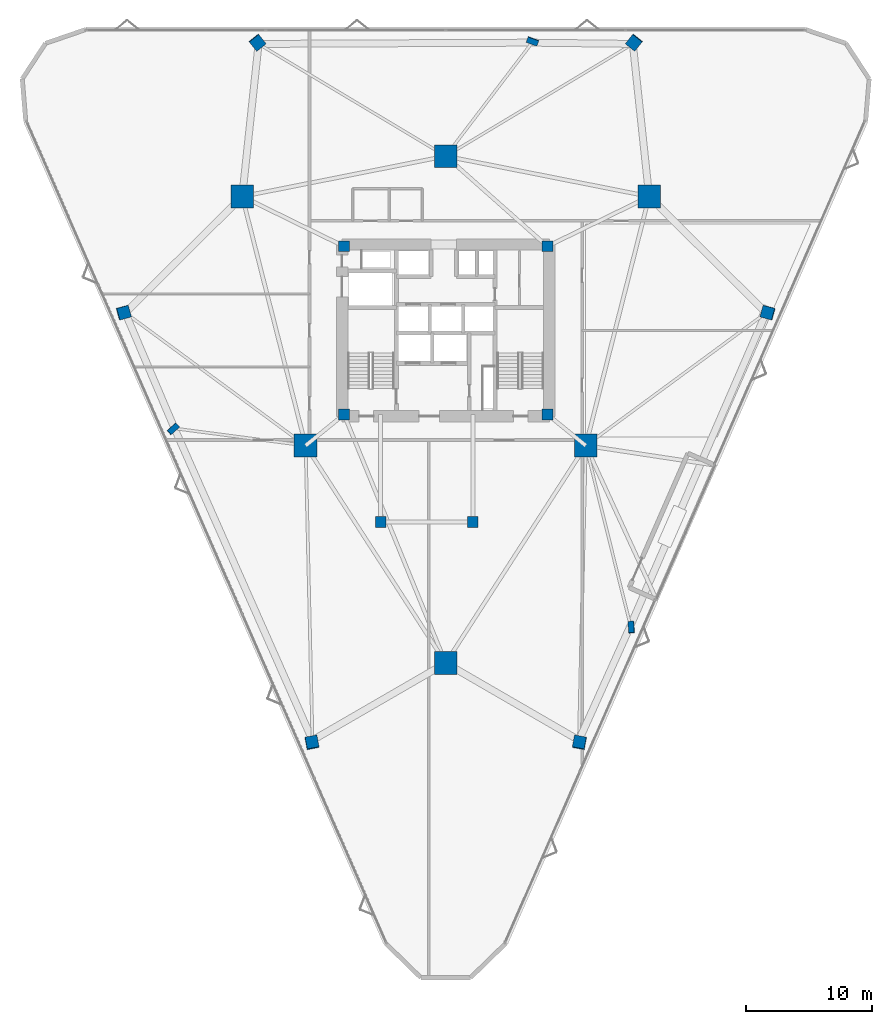
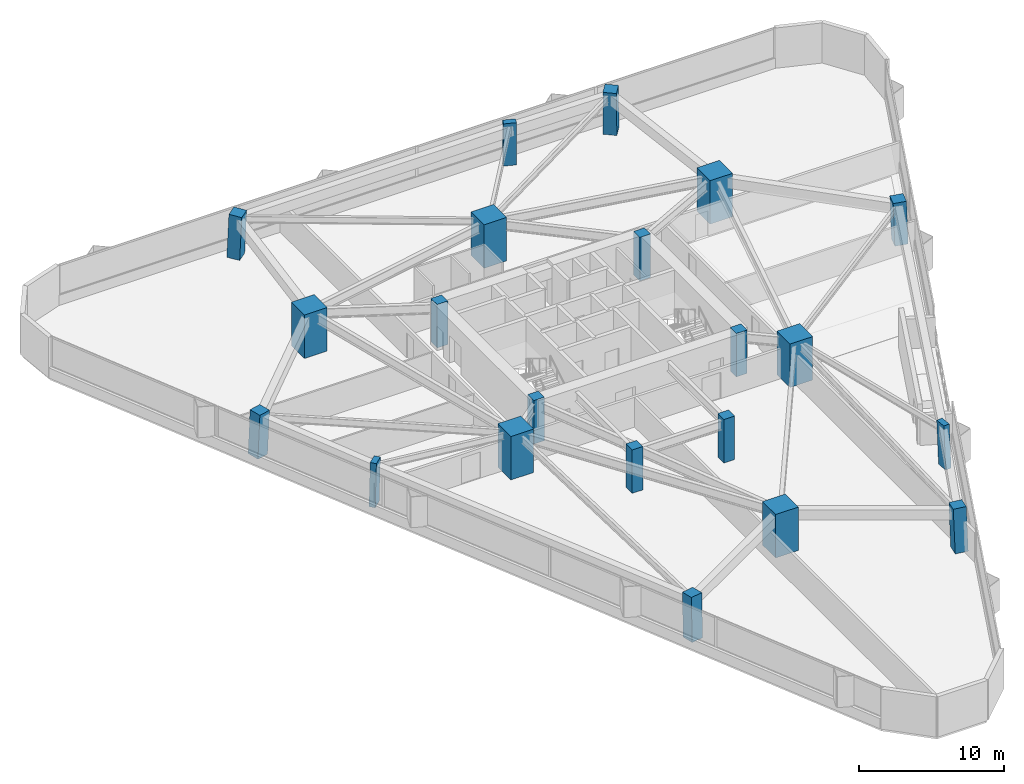
# One storey, part 1 of 16: 21 columns.
"""IFC4 building model written with IfcOpenShell, lengths in metres."""

import ifcopenshell
import ifcopenshell.guid

model = None  # the IFC model being written
_history = None  # IfcOwnerHistory: only IFC2X3 demands one
_inside = {}  # id of a spatial element -> (the spatial element, [elements in it])
_under = {}  # id of a project, library or spatial element -> (it, [spatial elements below it])
_declared = {}  # id of a project -> (the project, [libraries it declares])
_typed = {}  # id of a type object -> (the type object, [elements of that type])
_made_of = {}  # id of a material, layer set ... -> (it, [elements and type objects made of it])


def new_model(schema):
    """Start an empty IFC model of exactly this schema.

    Asked for "IFC4X3", IfcOpenShell would pick the latest addendum, in which some entities
    have other attributes; the version numbers below select the first issue.
    IFC2X3 requires an IfcOwnerHistory on every rooted entity: one is made here for all.
    """
    global model, _history
    if schema == "IFC4X3":
        model = ifcopenshell.file(schema_version=(4, 3, 0, 0))
    else:
        model = ifcopenshell.file(schema=schema)
    _inside.clear()
    _under.clear()
    _declared.clear()
    _typed.clear()
    _made_of.clear()
    _history = None
    if model.schema == "IFC2X3":
        org = make("IfcOrganization", Name="unknown")
        user = make(
            "IfcPersonAndOrganization",
            ThePerson=make("IfcPerson", FamilyName="unknown"),
            TheOrganization=org,
        )
        app = make(
            "IfcApplication",
            ApplicationDeveloper=org,
            Version="unknown",
            ApplicationFullName="unknown",
            ApplicationIdentifier="unknown",
        )
        _history = make(
            "IfcOwnerHistory",
            OwningUser=user,
            OwningApplication=app,
            ChangeAction="ADDED",
            CreationDate=0,
        )
    return model


def make(cls, **values):
    """One entity of the class cls with the attributes given. An attribute that is None is left unset."""
    return model.create_entity(
        cls, **{name: value for name, value in values.items() if value is not None}
    )


def rooted(cls, **values):
    """An entity with a GlobalId (a new one), such as an element, a storey or a relation."""
    return make(cls, GlobalId=ifcopenshell.guid.new(), OwnerHistory=_history, **values)


def si_unit(unit_type, name, prefix=None):
    """IfcSIUnit, for example si_unit("LENGTHUNIT", "METRE", prefix="MILLI")."""
    return make("IfcSIUnit", UnitType=unit_type, Prefix=prefix, Name=name)


def assignment(units):
    """IfcUnitAssignment: the units of a project."""
    return None if units is None else make("IfcUnitAssignment", Units=units)


def point(xyz):
    """IfcCartesianPoint."""
    return None if xyz is None else make("IfcCartesianPoint", Coordinates=xyz)


def direction(xyz):
    """IfcDirection."""
    return None if xyz is None else make("IfcDirection", DirectionRatios=xyz)


def frame(location, z_axis=None, x_axis=None):
    """IfcAxis2Placement3D, a coordinate frame: its origin and axes. An axis left out is left unset."""
    return make(
        "IfcAxis2Placement3D",
        Location=point(location),
        Axis=direction(z_axis),
        RefDirection=direction(x_axis),
    )


def frame_2d(location, x_axis=None):
    """IfcAxis2Placement2D, a coordinate frame in the plane: its origin and x axis."""
    return make(
        "IfcAxis2Placement2D", Location=point(location), RefDirection=direction(x_axis)
    )


def origin():
    """The frame at (0, 0, 0) with its axes left unset."""
    return frame((0.0, 0.0, 0.0))


def origin_2d():
    """The frame at (0, 0) in the plane with its x axis left unset."""
    return frame_2d((0.0, 0.0))


def place(relative_to, where):
    """IfcLocalPlacement: puts the frame where relative to a parent placement (None: the world)."""
    return make(
        "IfcLocalPlacement", PlacementRelTo=relative_to, RelativePlacement=where
    )


def context(
    kind, dimensions, precision=None, world=None, true_north=None, identifier=None
):
    """IfcGeometricRepresentationContext, for example the 3D "Model" context."""
    return make(
        "IfcGeometricRepresentationContext",
        ContextIdentifier=identifier,
        ContextType=kind,
        CoordinateSpaceDimension=dimensions,
        Precision=precision,
        WorldCoordinateSystem=world,
        TrueNorth=true_north,
    )


def subcontext(parent, identifier, kind, view, scale=None):
    """IfcGeometricRepresentationSubContext, for example "Body" below "Model"."""
    return make(
        "IfcGeometricRepresentationSubContext",
        ContextIdentifier=identifier,
        ContextType=kind,
        ParentContext=parent,
        TargetScale=scale,
        TargetView=view,
    )


def project(units=None, contexts=None):
    """IfcProject with its units and contexts."""
    return rooted(
        "IfcProject",
        Name="project",
        RepresentationContexts=contexts,
        UnitsInContext=assignment(units),
    )


def spatial(cls, under=None, at=None, **own):
    """A site, building, storey or space (cls), placed at a placement, below another one or the project."""
    s = rooted(cls, ObjectPlacement=at, **own)
    if under is not None:
        _under.setdefault(under.id(), (under, []))[1].append(s)
    return s


def profile(cls, at=None, kind="AREA", **sizes):
    """A parametric profile (cls). Its sizes go by their IFC names, for example OverallWidth=200.0."""
    return make(cls, ProfileType=kind, Position=at, **sizes)


def rectangle(**sizes):
    """IfcRectangleProfileDef."""
    return profile("IfcRectangleProfileDef", **sizes)


def extrude(swept, where, along, depth):
    """IfcExtrudedAreaSolid: the profile swept, set in the frame where, extruded along a direction by depth."""
    return make(
        "IfcExtrudedAreaSolid",
        SweptArea=swept,
        Position=where,
        ExtrudedDirection=direction(along),
        Depth=depth,
    )


def shape(context_of_items, identifier, shape_type, items):
    """IfcShapeRepresentation: the items that make up one representation, for example the "Body"."""
    return make(
        "IfcShapeRepresentation",
        ContextOfItems=context_of_items,
        RepresentationIdentifier=identifier,
        RepresentationType=shape_type,
        Items=items,
    )


def material(Name=None, Category=None):
    """IfcMaterial."""
    return make("IfcMaterial", Name=Name, Category=Category)


def material_profile(
    of_material, cross_section, Name=None, Category=None, Priority=None
):
    """IfcMaterialProfile: a cross section and its material."""
    return make(
        "IfcMaterialProfile",
        Name=Name,
        Material=of_material,
        Profile=cross_section,
        Priority=Priority,
        Category=Category,
    )


def profile_set(profiles, Name=None, composite=None):
    """IfcMaterialProfileSet."""
    return make(
        "IfcMaterialProfileSet",
        Name=Name,
        MaterialProfiles=profiles,
        CompositeProfile=composite,
    )


def made_of(thing, what):
    """Note that an element or type object is made of a material, layer set ...; save() writes the relation."""
    if what is not None:
        _made_of.setdefault(what.id(), (what, []))[1].append(thing)
    return thing


def type_object(cls, material=None, **own):
    """A type object (cls), such as IfcWallType, which elements share."""
    return made_of(rooted(cls, **own), material)


def element(
    cls,
    number,
    at=None,
    inside=None,
    cuts=None,
    type_object=None,
    material=None,
    context=None,
    identifier="Body",
    shape_type=None,
    held_by="IfcProductDefinitionShape",
    body=None,
    shapes=None,
    **own,
):
    """One element of the class cls, such as IfcWall. Its Tag is "e" and its number.

    at: its placement. inside: the storey or other place that contains it. cuts: it is an
    opening in that element (IfcRelVoidsElement). A single representation is given by context,
    identifier, shape_type and body (its items); several are given by shapes. held_by: the class
    of the entity that holds the representations. save() writes the other relations.
    """
    e = rooted(cls, Tag="e%d" % number, ObjectPlacement=at, **own)
    if body is not None:
        shapes = [shape(context, identifier, shape_type, body)]
    if shapes is not None:
        e.Representation = make(held_by, Representations=shapes)
    if inside is not None:
        _inside.setdefault(inside.id(), (inside, []))[1].append(e)
    if cuts is not None:
        rooted(
            "IfcRelVoidsElement", RelatingBuildingElement=cuts, RelatedOpeningElement=e
        )
    if type_object is not None:
        _typed.setdefault(type_object.id(), (type_object, []))[1].append(e)
    return made_of(e, material)


def aggregate(whole, parts):
    """IfcRelAggregates: a whole, such as a stair, and the parts it consists of."""
    return rooted("IfcRelAggregates", RelatingObject=whole, RelatedObjects=parts)


def save(model, path):
    """Write the relations noted so far, then the file.

    IfcRelAggregates (storeys below a building ...), IfcRelContainedInSpatialStructure (elements
    in a storey), IfcRelDefinesByType, IfcRelAssociatesMaterial and IfcRelDeclares: one each for
    every whole, place, type object, material and project.
    """
    for whole, parts in _under.values():
        aggregate(whole, parts)
    for where, things in _inside.values():
        rooted(
            "IfcRelContainedInSpatialStructure",
            RelatedElements=things,
            RelatingStructure=where,
        )
    for kind, things in _typed.values():
        rooted("IfcRelDefinesByType", RelatedObjects=things, RelatingType=kind)
    for what, things in _made_of.values():
        rooted("IfcRelAssociatesMaterial", RelatedObjects=things, RelatingMaterial=what)
    for by, libraries in _declared.values():
        rooted("IfcRelDeclares", RelatingContext=by, RelatedDefinitions=libraries)
    model.write(path)


model = new_model("IFC4")

# Units and contexts
model_context = context("Model", 3, precision=1e-05, world=origin(), true_north=direction((0.0, 1.0)))
body_context = subcontext(model_context, "Body", "Model", "MODEL_VIEW")
ifc_project = project(units=[si_unit("LENGTHUNIT", "METRE"), si_unit("AREAUNIT", "SQUARE_METRE"), si_unit("VOLUMEUNIT", "CUBIC_METRE"), si_unit("PLANEANGLEUNIT", "RADIAN"), si_unit("MASSUNIT", "GRAM", prefix="KILO")], contexts=[model_context])

# Site, building, storey
site_placement = place(None, origin())
site = spatial("IfcSite", under=ifc_project, at=site_placement, CompositionType="ELEMENT")
building_placement = place(site_placement, origin())
building = spatial("IfcBuilding", under=site, at=building_placement, Name="Talyreon Biosciences Tower", CompositionType="ELEMENT")
storey_placement = place(building_placement, frame((0.0, 0.0, 44.699951171875)))
storey = spatial("IfcBuildingStorey", under=building, at=storey_placement, Name="L11", CompositionType="ELEMENT", Elevation=44.699951171875)

# Columns
ifc_material_1 = material(Name="Precast concrete C45/55", Category="concrete")
ifc_material_profile_1 = material_profile(ifc_material_1, rectangle(XDim=0.89990234375, YDim=0.449951171875, at=origin_2d()), Name="RC 900x450")
ifc_profile_set_1 = profile_set([ifc_material_profile_1], Name="Precast concrete C45/55")
column_type_1 = type_object("IfcColumnType", Name="FacadePilaster_900x450", PredefinedType="PILASTER", material=ifc_profile_set_1)
column_1_placement = place(storey_placement, frame((80.69580078125, 44.488525390625, 0.0029296875), z_axis=(-0.019611953815, 0.038353752683, 0.999071749637), x_axis=(0.059488097101, -0.997448814212, 0.039459210974)))
element("IfcColumn", 1, at=column_1_placement, inside=storey, type_object=column_type_1, Name="L11 Facade Pilaster PL-SE", PredefinedType="PILASTER", context=body_context, shape_type="SweptSolid", body=[
    extrude(rectangle(XDim=0.89990234375, YDim=0.449951171875, at=origin_2d()), origin(), (0.0, 0.0, 1.0), 3.6474609375),
])
column_2_placement = place(storey_placement, frame((72.880615234375, 90.89306640625, 0.0029296875), z_axis=(-0.01238655289, -0.033544124313, 0.999360478022), x_axis=(-0.9380871136, 0.346399433166, 0.0)))
element("IfcColumn", 2, at=column_2_placement, inside=storey, type_object=column_type_1, Name="L11 Facade Pilaster PL-N", PredefinedType="PILASTER", context=body_context, shape_type="SweptSolid", body=[
    extrude(rectangle(XDim=0.89990234375, YDim=0.449951171875, at=origin_2d()), origin(), (0.0, 0.0, 1.0), 3.646484375),
])
column_3_placement = place(storey_placement, frame((44.423583984375, 60.20068359375, 0.0029296875), z_axis=(0.032006476949, 0.010512587617, 0.999432374368), x_axis=(0.744599581882, 0.666797695384, -0.030859295077)))
element("IfcColumn", 3, at=column_3_placement, inside=storey, type_object=column_type_1, Name="L11 Facade Pilaster PL-SW", PredefinedType="PILASTER", context=body_context, shape_type="SweptSolid", body=[
    extrude(rectangle(XDim=0.89990234375, YDim=0.449951171875, at=origin_2d()), origin(), (0.0, 0.0, 1.0), 3.64599609375),
])
ifc_material_2 = material(Name="Concrete C60/75", Category="concrete")
ifc_material_profile_2 = material_profile(ifc_material_2, rectangle(XDim=1.800048828125, YDim=1.800048828125, at=origin_2d()), Name="RC 1800x1800")
ifc_profile_set_2 = profile_set([ifc_material_profile_2], Name="Concrete C60/75")
column_type_2 = type_object("IfcColumnType", Name="MegaColumn_1800", PredefinedType="COLUMN", material=ifc_profile_set_2)
for number, where, z_axis, x_axis, name in (
    (4, (66.0, 41.6669921875, 0.0), (0.0, 0.0, 1.0), (1.0, 0.0, 0.0), "L11 Composite Mega-Column MC1"),
    (5, (82.102294921875, 78.5986328125, 0.0), (0.0, 0.0, 1.0), (1.0, 0.0, 0.0), "L11 Composite Mega-Column MC2"),
    (6, (49.897705078125, 78.5986328125, 0.0), (0.0, 0.0, 1.0), (1.0, 0.0, 0.0), "L11 Composite Mega-Column MC3"),
    (7, (77.086181640625, 58.88037109375, 0.0), (0.0, 0.0, 1.0), (1.0, 0.0, 0.0), "L11 Composite Mega-Column MC4"),
    (8, (66.0, 81.788818359375, 0.0), (0.0, 0.0, 1.0), (1.0, 0.0, 0.0), "L11 Composite Mega-Column MC5"),
    (9, (54.913818359375, 58.88037109375, 0.0), (0.0, 0.0, 1.0), (1.0, 0.0, 0.0), "L11 Composite Mega-Column MC6"),
):
    element("IfcColumn", number, at=place(storey_placement, frame(where, z_axis=z_axis, x_axis=x_axis)), inside=storey, type_object=column_type_2, Name=name, PredefinedType="COLUMN", context=body_context, shape_type="SweptSolid", body=[
        extrude(rectangle(XDim=1.800048828125, YDim=1.800048828125, at=origin_2d()), origin(), (0.0, 0.0, 1.0), 3.650146484375),
    ])
ifc_material_profile_3 = material_profile(ifc_material_2, rectangle(XDim=0.85009765625, YDim=0.85009765625, at=origin_2d()), Name="RC 850x850")
ifc_profile_set_3 = profile_set([ifc_material_profile_3], Name="Concrete C60/75")
column_type_3 = type_object("IfcColumnType", Name="PerimeterColumn_850", PredefinedType="COLUMN", material=ifc_profile_set_3)
for number, where, z_axis, x_axis, name in (
    (10, (57.949951171875, 61.35009765625, 0.0), (0.0, 0.0, 1.0), (1.0, 0.0, 0.0), "L11 Core Column CC1"),
    (11, (74.050048828125, 61.35009765625, 0.0), (0.0, 0.0, 1.0), (1.0, 0.0, 0.0), "L11 Core Column CC2"),
    (12, (74.050048828125, 74.64990234375, 0.0), (0.0, 0.0, 1.0), (1.0, 0.0, 0.0), "L11 Core Column CC3"),
    (13, (57.949951171875, 74.64990234375, 0.0), (0.0, 0.0, 1.0), (1.0, 0.0, 0.0), "L11 Core Column CC4"),
    (14, (60.85009765625, 52.840087890625, 0.0), (0.0, 0.0, 1.0), (1.0, 0.0, 0.0), "L11 Core Column CSW"),
    (15, (68.14990234375, 52.840087890625, 0.0), (0.0, 0.0, 1.0), (1.0, 0.0, 0.0), "L11 Core Column CSE"),
):
    element("IfcColumn", number, at=place(storey_placement, frame(where, z_axis=z_axis, x_axis=x_axis)), inside=storey, type_object=column_type_3, Name=name, PredefinedType="COLUMN", context=body_context, shape_type="SweptSolid", body=[
        extrude(rectangle(XDim=0.85009765625, YDim=0.85009765625, at=origin_2d()), origin(), (0.0, 0.0, 1.0), 3.650146484375),
    ])
ifc_material_profile_4 = material_profile(ifc_material_2, rectangle(XDim=0.949951171875, YDim=0.949951171875, at=origin_2d()), Name="RC 950x950")
ifc_profile_set_4 = profile_set([ifc_material_profile_4], Name="Concrete C60/75")
column_type_4 = type_object("IfcColumnType", Name="PerimeterColumn_950", PredefinedType="COLUMN", material=ifc_profile_set_4)
column_4_placement = place(storey_placement, frame((76.590576171875, 35.36328125, 0.0029296875), z_axis=(-0.012375141264, 0.054450621561, 0.998439775695), x_axis=(-0.188482061822, -0.98074372261, 0.051149417712)))
element("IfcColumn", 16, at=column_4_placement, inside=storey, type_object=column_type_4, Name="L11 Tapering Perimeter Column PC-SE1", PredefinedType="COLUMN", context=body_context, shape_type="SweptSolid", body=[
    extrude(rectangle(XDim=0.949951171875, YDim=0.949951171875, at=origin_2d()), origin(), (0.0, 0.0, 1.0), 3.649658203125),
])
column_5_placement = place(storey_placement, frame((91.49853515625, 69.40625, 0.0029296875), z_axis=(-0.039229493406, -0.00569028488, 0.999214024874), x_axis=(0.963398005451, -0.26560461156, 0.036310789174)))
element("IfcColumn", 17, at=column_5_placement, inside=storey, type_object=column_type_4, Name="L11 Tapering Perimeter Column PC-SE2", PredefinedType="COLUMN", context=body_context, shape_type="SweptSolid", body=[
    extrude(rectangle(XDim=0.949951171875, YDim=0.949951171875, at=origin_2d()), origin(), (0.0, 0.0, 1.0), 3.64697265625),
])
for number, where, z_axis, x_axis, name in (
    (18, (80.907958984375, 90.79296875, 0.0029296875), (-0.026841076243, -0.033534611465, 0.999077067328), (-0.780716755404, 0.624885067698, 0.0), "L11 Tapering Perimeter Column PC-N1"),
    (19, (51.092041015625, 90.79296875, 0.0029296875), (0.026841076243, -0.033534611465, 0.999077067328), (-0.780716755404, -0.624885067698, 0.0), "L11 Tapering Perimeter Column PC-N2"),
):
    element("IfcColumn", number, at=place(storey_placement, frame(where, z_axis=z_axis, x_axis=x_axis)), inside=storey, type_object=column_type_4, Name=name, PredefinedType="COLUMN", context=body_context, shape_type="SweptSolid", body=[
        extrude(rectangle(XDim=0.949951171875, YDim=0.949951171875, at=origin_2d()), origin(), (0.0, 0.0, 1.0), 3.6474609375),
    ])
column_6_placement = place(storey_placement, frame((40.50146484375, 69.40625, 0.0029296875), z_axis=(0.039229493406, -0.00569028488, 0.999214024874), x_axis=(0.963398005451, 0.26560461156, -0.036310789174)))
element("IfcColumn", 20, at=column_6_placement, inside=storey, type_object=column_type_4, Name="L11 Tapering Perimeter Column PC-SW1", PredefinedType="COLUMN", context=body_context, shape_type="SweptSolid", body=[
    extrude(rectangle(XDim=0.949951171875, YDim=0.949951171875, at=origin_2d()), origin(), (0.0, 0.0, 1.0), 3.64697265625),
])
column_7_placement = place(storey_placement, frame((55.409423828125, 35.36328125, 0.0029296875), z_axis=(0.012375141264, 0.054450621561, 0.998439775695), x_axis=(-0.188482061822, 0.98074372261, -0.051149417712)))
element("IfcColumn", 21, at=column_7_placement, inside=storey, type_object=column_type_4, Name="L11 Tapering Perimeter Column PC-SW2", PredefinedType="COLUMN", context=body_context, shape_type="SweptSolid", body=[
    extrude(rectangle(XDim=0.949951171875, YDim=0.949951171875, at=origin_2d()), origin(), (0.0, 0.0, 1.0), 3.649658203125),
])

save(model, "model.ifc")
